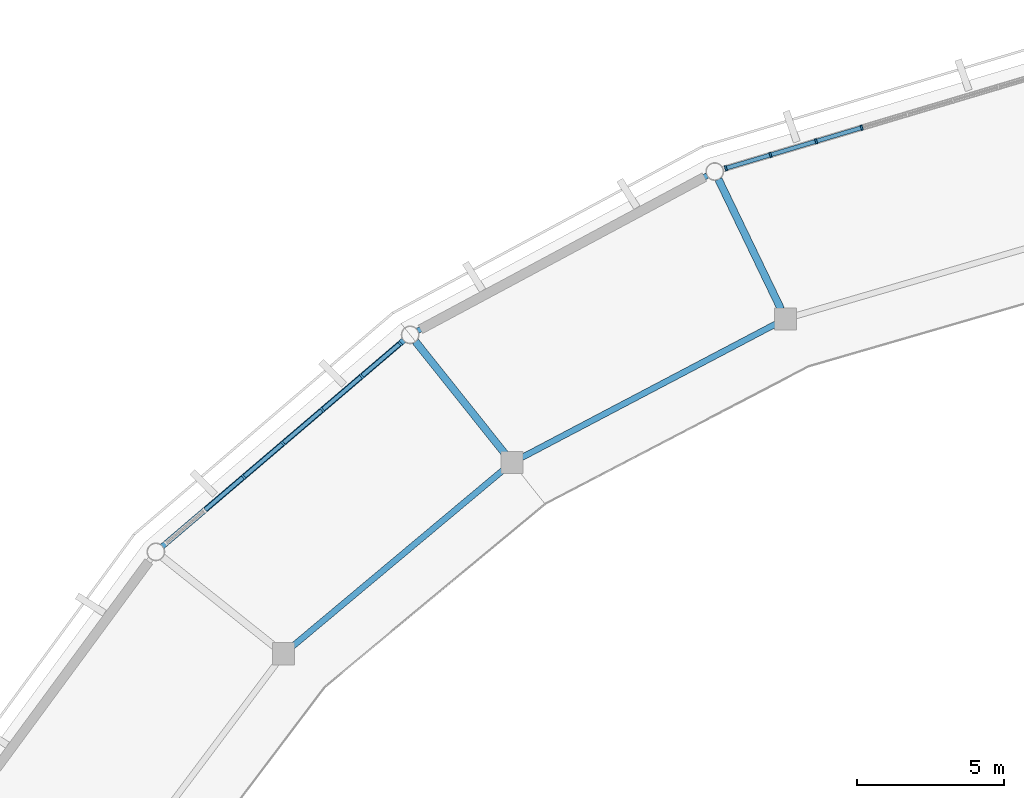
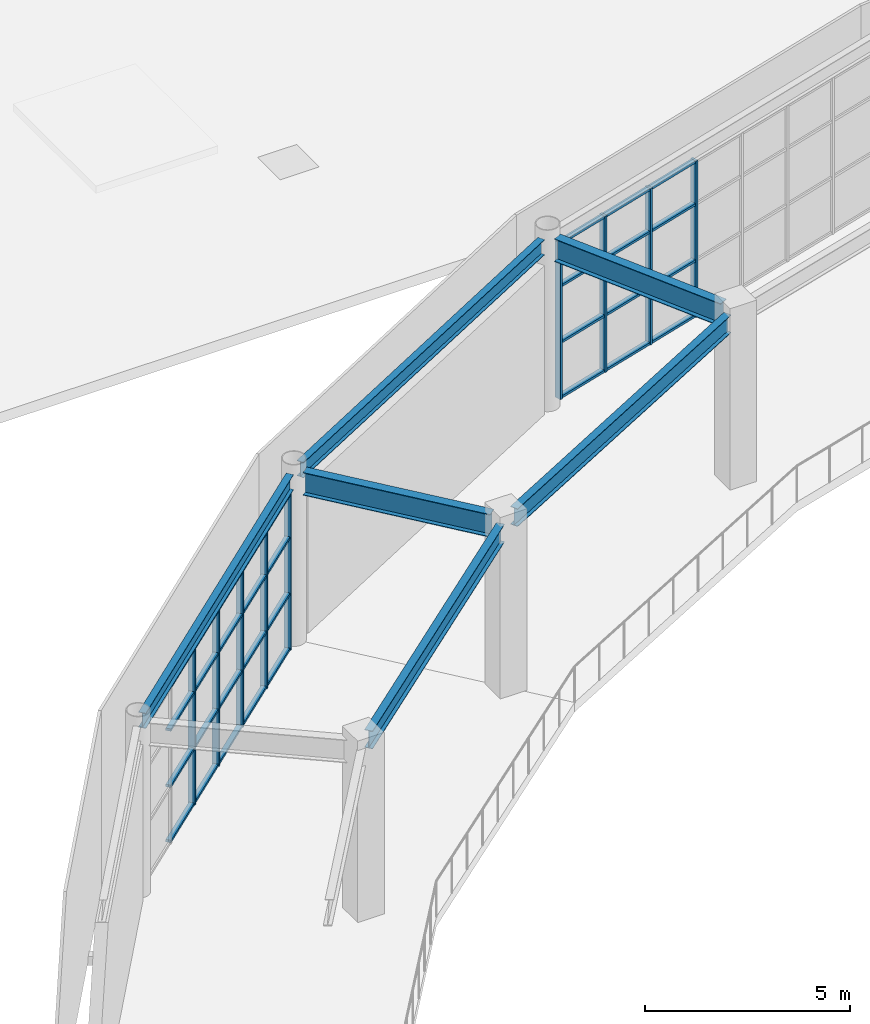
# One storey, part 28 of 70: 41 members, 6 beams, 2 elements without a shape of their own.
"""IFC4 building model written with IfcOpenShell, lengths in metres."""

import ifcopenshell
import ifcopenshell.guid

model = None  # the IFC model being written
_history = None  # IfcOwnerHistory: only IFC2X3 demands one
_inside = {}  # id of a spatial element -> (the spatial element, [elements in it])
_under = {}  # id of a project, library or spatial element -> (it, [spatial elements below it])
_declared = {}  # id of a project -> (the project, [libraries it declares])
_typed = {}  # id of a type object -> (the type object, [elements of that type])
_made_of = {}  # id of a material, layer set ... -> (it, [elements and type objects made of it])


def new_model(schema):
    """Start an empty IFC model of exactly this schema.

    Asked for "IFC4X3", IfcOpenShell would pick the latest addendum, in which some entities
    have other attributes; the version numbers below select the first issue.
    IFC2X3 requires an IfcOwnerHistory on every rooted entity: one is made here for all.
    """
    global model, _history
    if schema == "IFC4X3":
        model = ifcopenshell.file(schema_version=(4, 3, 0, 0))
    else:
        model = ifcopenshell.file(schema=schema)
    _inside.clear()
    _under.clear()
    _declared.clear()
    _typed.clear()
    _made_of.clear()
    _history = None
    if model.schema == "IFC2X3":
        org = make("IfcOrganization", Name="unknown")
        user = make(
            "IfcPersonAndOrganization",
            ThePerson=make("IfcPerson", FamilyName="unknown"),
            TheOrganization=org,
        )
        app = make(
            "IfcApplication",
            ApplicationDeveloper=org,
            Version="unknown",
            ApplicationFullName="unknown",
            ApplicationIdentifier="unknown",
        )
        _history = make(
            "IfcOwnerHistory",
            OwningUser=user,
            OwningApplication=app,
            ChangeAction="ADDED",
            CreationDate=0,
        )
    return model


def make(cls, **values):
    """One entity of the class cls with the attributes given. An attribute that is None is left unset."""
    return model.create_entity(
        cls, **{name: value for name, value in values.items() if value is not None}
    )


def rooted(cls, **values):
    """An entity with a GlobalId (a new one), such as an element, a storey or a relation."""
    return make(cls, GlobalId=ifcopenshell.guid.new(), OwnerHistory=_history, **values)


def si_unit(unit_type, name, prefix=None):
    """IfcSIUnit, for example si_unit("LENGTHUNIT", "METRE", prefix="MILLI")."""
    return make("IfcSIUnit", UnitType=unit_type, Prefix=prefix, Name=name)


def assignment(units):
    """IfcUnitAssignment: the units of a project."""
    return None if units is None else make("IfcUnitAssignment", Units=units)


def point(xyz):
    """IfcCartesianPoint."""
    return None if xyz is None else make("IfcCartesianPoint", Coordinates=xyz)


def direction(xyz):
    """IfcDirection."""
    return None if xyz is None else make("IfcDirection", DirectionRatios=xyz)


def frame(location, z_axis=None, x_axis=None):
    """IfcAxis2Placement3D, a coordinate frame: its origin and axes. An axis left out is left unset."""
    return make(
        "IfcAxis2Placement3D",
        Location=point(location),
        Axis=direction(z_axis),
        RefDirection=direction(x_axis),
    )


def frame_2d(location, x_axis=None):
    """IfcAxis2Placement2D, a coordinate frame in the plane: its origin and x axis."""
    return make(
        "IfcAxis2Placement2D", Location=point(location), RefDirection=direction(x_axis)
    )


def origin():
    """The frame at (0, 0, 0) with its axes left unset."""
    return frame((0.0, 0.0, 0.0))


def origin_2d():
    """The frame at (0, 0) in the plane with its x axis left unset."""
    return frame_2d((0.0, 0.0))


def place(relative_to, where):
    """IfcLocalPlacement: puts the frame where relative to a parent placement (None: the world)."""
    return make(
        "IfcLocalPlacement", PlacementRelTo=relative_to, RelativePlacement=where
    )


def context(
    kind, dimensions, precision=None, world=None, true_north=None, identifier=None
):
    """IfcGeometricRepresentationContext, for example the 3D "Model" context."""
    return make(
        "IfcGeometricRepresentationContext",
        ContextIdentifier=identifier,
        ContextType=kind,
        CoordinateSpaceDimension=dimensions,
        Precision=precision,
        WorldCoordinateSystem=world,
        TrueNorth=true_north,
    )


def subcontext(parent, identifier, kind, view, scale=None):
    """IfcGeometricRepresentationSubContext, for example "Body" below "Model"."""
    return make(
        "IfcGeometricRepresentationSubContext",
        ContextIdentifier=identifier,
        ContextType=kind,
        ParentContext=parent,
        TargetScale=scale,
        TargetView=view,
    )


def project(units=None, contexts=None):
    """IfcProject with its units and contexts."""
    return rooted(
        "IfcProject",
        Name="project",
        RepresentationContexts=contexts,
        UnitsInContext=assignment(units),
    )


def spatial(cls, under=None, at=None, **own):
    """A site, building, storey or space (cls), placed at a placement, below another one or the project."""
    s = rooted(cls, ObjectPlacement=at, **own)
    if under is not None:
        _under.setdefault(under.id(), (under, []))[1].append(s)
    return s


def profile(cls, at=None, kind="AREA", **sizes):
    """A parametric profile (cls). Its sizes go by their IFC names, for example OverallWidth=200.0."""
    return make(cls, ProfileType=kind, Position=at, **sizes)


def rectangle(**sizes):
    """IfcRectangleProfileDef."""
    return profile("IfcRectangleProfileDef", **sizes)


def i_section(**sizes):
    """IfcIShapeProfileDef."""
    return profile("IfcIShapeProfileDef", **sizes)


def extrude(swept, where, along, depth):
    """IfcExtrudedAreaSolid: the profile swept, set in the frame where, extruded along a direction by depth."""
    return make(
        "IfcExtrudedAreaSolid",
        SweptArea=swept,
        Position=where,
        ExtrudedDirection=direction(along),
        Depth=depth,
    )


def shape(context_of_items, identifier, shape_type, items):
    """IfcShapeRepresentation: the items that make up one representation, for example the "Body"."""
    return make(
        "IfcShapeRepresentation",
        ContextOfItems=context_of_items,
        RepresentationIdentifier=identifier,
        RepresentationType=shape_type,
        Items=items,
    )


def material(Name=None, Category=None):
    """IfcMaterial."""
    return make("IfcMaterial", Name=Name, Category=Category)


def material_profile(
    of_material, cross_section, Name=None, Category=None, Priority=None
):
    """IfcMaterialProfile: a cross section and its material."""
    return make(
        "IfcMaterialProfile",
        Name=Name,
        Material=of_material,
        Profile=cross_section,
        Priority=Priority,
        Category=Category,
    )


def profile_set(profiles, Name=None, composite=None):
    """IfcMaterialProfileSet."""
    return make(
        "IfcMaterialProfileSet",
        Name=Name,
        MaterialProfiles=profiles,
        CompositeProfile=composite,
    )


def made_of(thing, what):
    """Note that an element or type object is made of a material, layer set ...; save() writes the relation."""
    if what is not None:
        _made_of.setdefault(what.id(), (what, []))[1].append(thing)
    return thing


def type_object(cls, material=None, **own):
    """A type object (cls), such as IfcWallType, which elements share."""
    return made_of(rooted(cls, **own), material)


def element(
    cls,
    number,
    at=None,
    inside=None,
    cuts=None,
    type_object=None,
    material=None,
    context=None,
    identifier="Body",
    shape_type=None,
    held_by="IfcProductDefinitionShape",
    body=None,
    shapes=None,
    **own,
):
    """One element of the class cls, such as IfcWall. Its Tag is "e" and its number.

    at: its placement. inside: the storey or other place that contains it. cuts: it is an
    opening in that element (IfcRelVoidsElement). A single representation is given by context,
    identifier, shape_type and body (its items); several are given by shapes. held_by: the class
    of the entity that holds the representations. save() writes the other relations.
    """
    e = rooted(cls, Tag="e%d" % number, ObjectPlacement=at, **own)
    if body is not None:
        shapes = [shape(context, identifier, shape_type, body)]
    if shapes is not None:
        e.Representation = make(held_by, Representations=shapes)
    if inside is not None:
        _inside.setdefault(inside.id(), (inside, []))[1].append(e)
    if cuts is not None:
        rooted(
            "IfcRelVoidsElement", RelatingBuildingElement=cuts, RelatedOpeningElement=e
        )
    if type_object is not None:
        _typed.setdefault(type_object.id(), (type_object, []))[1].append(e)
    return made_of(e, material)


def aggregate(whole, parts):
    """IfcRelAggregates: a whole, such as a stair, and the parts it consists of."""
    return rooted("IfcRelAggregates", RelatingObject=whole, RelatedObjects=parts)


def save(model, path):
    """Write the relations noted so far, then the file.

    IfcRelAggregates (storeys below a building ...), IfcRelContainedInSpatialStructure (elements
    in a storey), IfcRelDefinesByType, IfcRelAssociatesMaterial and IfcRelDeclares: one each for
    every whole, place, type object, material and project.
    """
    for whole, parts in _under.values():
        aggregate(whole, parts)
    for where, things in _inside.values():
        rooted(
            "IfcRelContainedInSpatialStructure",
            RelatedElements=things,
            RelatingStructure=where,
        )
    for kind, things in _typed.values():
        rooted("IfcRelDefinesByType", RelatedObjects=things, RelatingType=kind)
    for what, things in _made_of.values():
        rooted("IfcRelAssociatesMaterial", RelatedObjects=things, RelatingMaterial=what)
    for by, libraries in _declared.values():
        rooted("IfcRelDeclares", RelatingContext=by, RelatedDefinitions=libraries)
    model.write(path)


model = new_model("IFC4")

# Units and contexts
model_context = context("Model", 3, precision=1e-05, world=origin(), true_north=direction((0.0, 1.0)))
body_context = subcontext(model_context, "Body", "Model", "MODEL_VIEW")
ifc_project = project(units=[si_unit("LENGTHUNIT", "METRE"), si_unit("AREAUNIT", "SQUARE_METRE"), si_unit("VOLUMEUNIT", "CUBIC_METRE"), si_unit("PLANEANGLEUNIT", "RADIAN"), si_unit("MASSUNIT", "GRAM", prefix="KILO")], contexts=[model_context])

# Site, building, storey
site_placement = place(None, origin())
site = spatial("IfcSite", under=ifc_project, at=site_placement, CompositionType="ELEMENT")
building_placement = place(site_placement, origin())
building = spatial("IfcBuilding", under=site, at=building_placement, Name="Cuetzalor Civic Arena", CompositionType="ELEMENT")
storey_placement = place(building_placement, frame((0.0, 0.0, 21.0)))
storey = spatial("IfcBuildingStorey", under=building, at=storey_placement, Name="L04", CompositionType="ELEMENT", Elevation=21.0)

# Curtain wall, members
ifc_material_1 = material(Name="Anodised dark bronze aluminium and low-E solar glass", Category="aluminium")
curtain_wall_type_1 = type_object("IfcCurtainWallType", Name="UnitisedCW_11300x4650", PredefinedType="USERDEFINED", material=ifc_material_1)
curtain_wall_1_placement = place(storey_placement, origin())
curtain_wall_1 = element("IfcCurtainWall", 1, at=curtain_wall_1_placement, inside=storey, type_object=curtain_wall_type_1, Name="Drum Triangle Foyer Curtain Wall L04-060", ObjectType="UNITISED CURTAIN WALL", PredefinedType="USERDEFINED")
ifc_material_2 = material(Name="Anodised dark bronze aluminium", Category="aluminium")
ifc_material_profile_1 = material_profile(ifc_material_2, rectangle(XDim=0.070068359375, YDim=0.179931640625, at=origin_2d()), Name="ALU MULLION 70x180")
ifc_profile_set_1 = profile_set([ifc_material_profile_1], Name="Anodised dark bronze aluminium")
member_type_1 = type_object("IfcMemberType", Name="CurtainWallMullion_65x180", PredefinedType="MULLION", material=ifc_profile_set_1)
member_1_placement = place(storey_placement, frame((-23.28857421875, 42.053466796875, 0.0), z_axis=(0.0, 0.0, 1.0), x_axis=(0.958193690548, 0.286120344251, 0.0)))
member_1 = element("IfcMember", 2, at=member_1_placement, type_object=member_type_1, Name="CW-09 mullion 1", PredefinedType="MULLION", context=body_context, shape_type="SweptSolid", body=[
    extrude(rectangle(XDim=0.070068359375, YDim=0.179931640625, at=origin_2d()), origin(), (0.0, 0.0, 1.0), 4.653076171875),
])
member_2_placement = place(storey_placement, frame((-21.77392578125, 42.505859375, 0.0), z_axis=(0.0, 0.0, 1.0), x_axis=(0.958193690548, 0.286120344251, 0.0)))
member_2 = element("IfcMember", 3, at=member_2_placement, type_object=member_type_1, Name="CW-09 mullion 2", PredefinedType="MULLION", context=body_context, shape_type="SweptSolid", body=[
    extrude(rectangle(XDim=0.070068359375, YDim=0.179931640625, at=origin_2d()), origin(), (0.0, 0.0, 1.0), 4.653076171875),
])
member_3_placement = place(storey_placement, frame((-20.2255859375, 42.968017578125, 0.0), z_axis=(0.0, 0.0, 1.0), x_axis=(0.958193690548, 0.286120344251, 0.0)))
member_3 = element("IfcMember", 4, at=member_3_placement, type_object=member_type_1, Name="CW-09 mullion 3", PredefinedType="MULLION", context=body_context, shape_type="SweptSolid", body=[
    extrude(rectangle(XDim=0.070068359375, YDim=0.179931640625, at=origin_2d()), origin(), (0.0, 0.0, 1.0), 4.653076171875),
])
member_4_placement = place(storey_placement, frame((-18.677490234375, 43.430419921875, 0.0), z_axis=(0.0, 0.0, 1.0), x_axis=(0.958193690548, 0.286120344251, 0.0)))
member_4 = element("IfcMember", 5, at=member_4_placement, type_object=member_type_1, Name="CW-09 mullion 4", PredefinedType="MULLION", context=body_context, shape_type="SweptSolid", body=[
    extrude(rectangle(XDim=0.070068359375, YDim=0.179931640625, at=origin_2d()), origin(), (0.0, 0.0, 1.0), 4.653076171875),
])

ifc_material_3 = material(Name="Anodised dark bronze aluminium and low-E solar glass", Category="aluminium")
curtain_wall_type_2 = type_object("IfcCurtainWallType", Name="UnitisedCW_10550x4650", PredefinedType="USERDEFINED", material=ifc_material_3)
curtain_wall_2_placement = place(storey_placement, origin())
curtain_wall_2 = element("IfcCurtainWall", 6, at=curtain_wall_2_placement, inside=storey, type_object=curtain_wall_type_2, Name="Drum Triangle Foyer Curtain Wall L04-061", ObjectType="UNITISED CURTAIN WALL", PredefinedType="USERDEFINED")
member_5_placement = place(storey_placement, frame((-39.665283203125, 31.569580078125, 0.0), z_axis=(0.0, 0.0, 1.0), x_axis=(0.760677142663, 0.64913040649, 0.0)))
member_5 = element("IfcMember", 7, at=member_5_placement, type_object=member_type_1, Name="CW-10 mullion 3", PredefinedType="MULLION", context=body_context, shape_type="SweptSolid", body=[
    extrude(rectangle(XDim=0.070068359375, YDim=0.179931640625, at=origin_2d()), origin(), (0.0, 0.0, 1.0), 4.653076171875),
])
member_6_placement = place(storey_placement, frame((-38.330078125, 32.708984375, 0.0), z_axis=(0.0, 0.0, 1.0), x_axis=(0.760677142663, 0.64913040649, 0.0)))
member_6 = element("IfcMember", 8, at=member_6_placement, type_object=member_type_1, Name="CW-10 mullion 4", PredefinedType="MULLION", context=body_context, shape_type="SweptSolid", body=[
    extrude(rectangle(XDim=0.070068359375, YDim=0.179931640625, at=origin_2d()), origin(), (0.0, 0.0, 1.0), 4.653076171875),
])
member_7_placement = place(storey_placement, frame((-36.9951171875, 33.84814453125, 0.0), z_axis=(0.0, 0.0, 1.0), x_axis=(0.760677142663, 0.64913040649, 0.0)))
member_7 = element("IfcMember", 9, at=member_7_placement, type_object=member_type_1, Name="CW-10 mullion 5", PredefinedType="MULLION", context=body_context, shape_type="SweptSolid", body=[
    extrude(rectangle(XDim=0.070068359375, YDim=0.179931640625, at=origin_2d()), origin(), (0.0, 0.0, 1.0), 4.653076171875),
])
member_8_placement = place(storey_placement, frame((-35.659912109375, 34.987548828125, 0.0), z_axis=(0.0, 0.0, 1.0), x_axis=(0.760677142663, 0.64913040649, 0.0)))
member_8 = element("IfcMember", 10, at=member_8_placement, type_object=member_type_1, Name="CW-10 mullion 6", PredefinedType="MULLION", context=body_context, shape_type="SweptSolid", body=[
    extrude(rectangle(XDim=0.070068359375, YDim=0.179931640625, at=origin_2d()), origin(), (0.0, 0.0, 1.0), 4.653076171875),
])
member_9_placement = place(storey_placement, frame((-34.351318359375, 36.104248046875, 0.0), z_axis=(0.0, 0.0, 1.0), x_axis=(0.760677142663, 0.64913040649, 0.0)))
member_9 = element("IfcMember", 11, at=member_9_placement, type_object=member_type_1, Name="CW-10 mullion 7", PredefinedType="MULLION", context=body_context, shape_type="SweptSolid", body=[
    extrude(rectangle(XDim=0.070068359375, YDim=0.179931640625, at=origin_2d()), origin(), (0.0, 0.0, 1.0), 4.653076171875),
])

# Member
ifc_material_4 = material(Name="Anodised dark bronze aluminium", Category="aluminium")
ifc_material_profile_2 = material_profile(ifc_material_4, rectangle(XDim=0.139892578125, YDim=0.070068359375, at=origin_2d()), Name="ALU TRANSOM 70x140")
ifc_profile_set_2 = profile_set([ifc_material_profile_2], Name="Anodised dark bronze aluminium")
member_type_2 = type_object("IfcMemberType", Name="CurtainWallTransom_65x140", PredefinedType="USERDEFINED", material=ifc_profile_set_2)
member_10_placement = place(storey_placement, frame((-23.2548828125, 42.0634765625, 0.034912109375), z_axis=(0.958168093169, 0.286206053804, 0.0), x_axis=(-0.286206053804, 0.958168093169, 0.0)))
member_10 = element("IfcMember", 12, at=member_10_placement, type_object=member_type_2, Name="CW-09 transom 1.1", ObjectType="TRANSOM", PredefinedType="USERDEFINED", context=body_context, shape_type="SweptSolid", body=[
    extrude(rectangle(XDim=0.139892578125, YDim=0.070068359375, at=origin_2d()), origin(), (0.0, 0.0, 1.0), 1.5107421875),
])

member_11_placement = place(storey_placement, frame((-23.2548828125, 42.0634765625, 1.675048828125), z_axis=(0.958168093169, 0.286206053804, 0.0), x_axis=(-0.286206053804, 0.958168093169, 0.0)))
member_11 = element("IfcMember", 13, at=member_11_placement, type_object=member_type_2, Name="CW-09 transom 1.2", ObjectType="TRANSOM", PredefinedType="USERDEFINED", context=body_context, shape_type="SweptSolid", body=[
    extrude(rectangle(XDim=0.139892578125, YDim=0.070068359375, at=origin_2d()), origin(), (0.0, 0.0, 1.0), 1.5107421875),
])

member_12_placement = place(storey_placement, frame((-23.2548828125, 42.0634765625, 3.35009765625), z_axis=(0.958168093169, 0.286206053804, 0.0), x_axis=(-0.286206053804, 0.958168093169, 0.0)))
member_12 = element("IfcMember", 14, at=member_12_placement, type_object=member_type_2, Name="CW-09 transom 1.3", ObjectType="TRANSOM", PredefinedType="USERDEFINED", context=body_context, shape_type="SweptSolid", body=[
    extrude(rectangle(XDim=0.139892578125, YDim=0.070068359375, at=origin_2d()), origin(), (0.0, 0.0, 1.0), 1.5107421875),
])

member_13_placement = place(storey_placement, frame((-23.2548828125, 42.0634765625, 4.617919921875), z_axis=(0.958168093169, 0.286206053804, 0.0), x_axis=(-0.286206053804, 0.958168093169, 0.0)))
member_13 = element("IfcMember", 15, at=member_13_placement, type_object=member_type_2, Name="CW-09 transom 1.4", ObjectType="TRANSOM", PredefinedType="USERDEFINED", context=body_context, shape_type="SweptSolid", body=[
    extrude(rectangle(XDim=0.139892578125, YDim=0.070068359375, at=origin_2d()), origin(), (0.0, 0.0, 1.0), 1.5107421875),
])

member_14_placement = place(storey_placement, frame((-21.740234375, 42.515869140625, 0.034912109375), z_axis=(0.958208027284, 0.286072327302, 0.0), x_axis=(-0.286072327302, 0.958208027284, 0.0)))
member_14 = element("IfcMember", 16, at=member_14_placement, type_object=member_type_2, Name="CW-09 transom 2.1", ObjectType="TRANSOM", PredefinedType="USERDEFINED", context=body_context, shape_type="SweptSolid", body=[
    extrude(rectangle(XDim=0.139892578125, YDim=0.070068359375, at=origin_2d()), origin(), (0.0, 0.0, 1.0), 1.545654296875),
])

member_15_placement = place(storey_placement, frame((-21.740234375, 42.515869140625, 1.675048828125), z_axis=(0.958208027284, 0.286072327302, 0.0), x_axis=(-0.286072327302, 0.958208027284, 0.0)))
member_15 = element("IfcMember", 17, at=member_15_placement, type_object=member_type_2, Name="CW-09 transom 2.2", ObjectType="TRANSOM", PredefinedType="USERDEFINED", context=body_context, shape_type="SweptSolid", body=[
    extrude(rectangle(XDim=0.139892578125, YDim=0.070068359375, at=origin_2d()), origin(), (0.0, 0.0, 1.0), 1.545654296875),
])

member_16_placement = place(storey_placement, frame((-21.740234375, 42.515869140625, 3.35009765625), z_axis=(0.958208027284, 0.286072327302, 0.0), x_axis=(-0.286072327302, 0.958208027284, 0.0)))
member_16 = element("IfcMember", 18, at=member_16_placement, type_object=member_type_2, Name="CW-09 transom 2.3", ObjectType="TRANSOM", PredefinedType="USERDEFINED", context=body_context, shape_type="SweptSolid", body=[
    extrude(rectangle(XDim=0.139892578125, YDim=0.070068359375, at=origin_2d()), origin(), (0.0, 0.0, 1.0), 1.545654296875),
])

member_17_placement = place(storey_placement, frame((-21.740234375, 42.515869140625, 4.617919921875), z_axis=(0.958208027284, 0.286072327302, 0.0), x_axis=(-0.286072327302, 0.958208027284, 0.0)))
member_17 = element("IfcMember", 19, at=member_17_placement, type_object=member_type_2, Name="CW-09 transom 2.4", ObjectType="TRANSOM", PredefinedType="USERDEFINED", context=body_context, shape_type="SweptSolid", body=[
    extrude(rectangle(XDim=0.139892578125, YDim=0.070068359375, at=origin_2d()), origin(), (0.0, 0.0, 1.0), 1.545654296875),
])

member_18_placement = place(storey_placement, frame((-20.192138671875, 42.97802734375, 0.034912109375), z_axis=(0.958164717752, 0.286217353869, 0.0), x_axis=(-0.286217353869, 0.958164717752, 0.0)))
member_18 = element("IfcMember", 20, at=member_18_placement, type_object=member_type_2, Name="CW-09 transom 3.1", ObjectType="TRANSOM", PredefinedType="USERDEFINED", context=body_context, shape_type="SweptSolid", body=[
    extrude(rectangle(XDim=0.139892578125, YDim=0.070068359375, at=origin_2d()), origin(), (0.0, 0.0, 1.0), 1.545654296875),
])

member_19_placement = place(storey_placement, frame((-20.192138671875, 42.97802734375, 1.675048828125), z_axis=(0.958164717752, 0.286217353869, 0.0), x_axis=(-0.286217353869, 0.958164717752, 0.0)))
member_19 = element("IfcMember", 21, at=member_19_placement, type_object=member_type_2, Name="CW-09 transom 3.2", ObjectType="TRANSOM", PredefinedType="USERDEFINED", context=body_context, shape_type="SweptSolid", body=[
    extrude(rectangle(XDim=0.139892578125, YDim=0.070068359375, at=origin_2d()), origin(), (0.0, 0.0, 1.0), 1.545654296875),
])

member_20_placement = place(storey_placement, frame((-20.192138671875, 42.97802734375, 3.35009765625), z_axis=(0.958164717752, 0.286217353869, 0.0), x_axis=(-0.286217353869, 0.958164717752, 0.0)))
member_20 = element("IfcMember", 22, at=member_20_placement, type_object=member_type_2, Name="CW-09 transom 3.3", ObjectType="TRANSOM", PredefinedType="USERDEFINED", context=body_context, shape_type="SweptSolid", body=[
    extrude(rectangle(XDim=0.139892578125, YDim=0.070068359375, at=origin_2d()), origin(), (0.0, 0.0, 1.0), 1.545654296875),
])

member_21_placement = place(storey_placement, frame((-20.192138671875, 42.97802734375, 4.617919921875), z_axis=(0.958164717752, 0.286217353869, 0.0), x_axis=(-0.286217353869, 0.958164717752, 0.0)))
member_21 = element("IfcMember", 23, at=member_21_placement, type_object=member_type_2, Name="CW-09 transom 3.4", ObjectType="TRANSOM", PredefinedType="USERDEFINED", context=body_context, shape_type="SweptSolid", body=[
    extrude(rectangle(XDim=0.139892578125, YDim=0.070068359375, at=origin_2d()), origin(), (0.0, 0.0, 1.0), 1.545654296875),
])

aggregate(curtain_wall_1, [member_1, member_2, member_3, member_4, member_10, member_11, member_12, member_13, member_14, member_15, member_16, member_17, member_18, member_19, member_20, member_21])

member_22_placement = place(storey_placement, frame((-40.973876953125, 30.452880859375, 0.034912109375), z_axis=(0.760676154185, 0.649131564826, 0.0), x_axis=(-0.649131564826, 0.760676154185, 0.0)))
member_22 = element("IfcMember", 24, at=member_22_placement, type_object=member_type_2, Name="CW-10 transom 2.1", ObjectType="TRANSOM", PredefinedType="USERDEFINED", context=body_context, shape_type="SweptSolid", body=[
    extrude(rectangle(XDim=0.139892578125, YDim=0.070068359375, at=origin_2d()), origin(), (0.0, 0.0, 1.0), 1.685302734375),
])

member_23_placement = place(storey_placement, frame((-40.973876953125, 30.452880859375, 1.675048828125), z_axis=(0.760676154185, 0.649131564826, 0.0), x_axis=(-0.649131564826, 0.760676154185, 0.0)))
member_23 = element("IfcMember", 25, at=member_23_placement, type_object=member_type_2, Name="CW-10 transom 2.2", ObjectType="TRANSOM", PredefinedType="USERDEFINED", context=body_context, shape_type="SweptSolid", body=[
    extrude(rectangle(XDim=0.139892578125, YDim=0.070068359375, at=origin_2d()), origin(), (0.0, 0.0, 1.0), 1.685302734375),
])

member_24_placement = place(storey_placement, frame((-40.973876953125, 30.452880859375, 3.35009765625), z_axis=(0.760676154185, 0.649131564826, 0.0), x_axis=(-0.649131564826, 0.760676154185, 0.0)))
member_24 = element("IfcMember", 26, at=member_24_placement, type_object=member_type_2, Name="CW-10 transom 2.3", ObjectType="TRANSOM", PredefinedType="USERDEFINED", context=body_context, shape_type="SweptSolid", body=[
    extrude(rectangle(XDim=0.139892578125, YDim=0.070068359375, at=origin_2d()), origin(), (0.0, 0.0, 1.0), 1.685302734375),
])

member_25_placement = place(storey_placement, frame((-40.973876953125, 30.452880859375, 4.617919921875), z_axis=(0.760676154185, 0.649131564826, 0.0), x_axis=(-0.649131564826, 0.760676154185, 0.0)))
member_25 = element("IfcMember", 27, at=member_25_placement, type_object=member_type_2, Name="CW-10 transom 2.4", ObjectType="TRANSOM", PredefinedType="USERDEFINED", context=body_context, shape_type="SweptSolid", body=[
    extrude(rectangle(XDim=0.139892578125, YDim=0.070068359375, at=origin_2d()), origin(), (0.0, 0.0, 1.0), 1.685302734375),
])

member_26_placement = place(storey_placement, frame((-39.638671875, 31.59228515625, 0.034912109375), z_axis=(0.760676154185, 0.649131564826, 0.0), x_axis=(-0.649131564826, 0.760676154185, 0.0)))
member_26 = element("IfcMember", 28, at=member_26_placement, type_object=member_type_2, Name="CW-10 transom 3.1", ObjectType="TRANSOM", PredefinedType="USERDEFINED", context=body_context, shape_type="SweptSolid", body=[
    extrude(rectangle(XDim=0.139892578125, YDim=0.070068359375, at=origin_2d()), origin(), (0.0, 0.0, 1.0), 1.685302734375),
])

member_27_placement = place(storey_placement, frame((-39.638671875, 31.59228515625, 1.675048828125), z_axis=(0.760676154185, 0.649131564826, 0.0), x_axis=(-0.649131564826, 0.760676154185, 0.0)))
member_27 = element("IfcMember", 29, at=member_27_placement, type_object=member_type_2, Name="CW-10 transom 3.2", ObjectType="TRANSOM", PredefinedType="USERDEFINED", context=body_context, shape_type="SweptSolid", body=[
    extrude(rectangle(XDim=0.139892578125, YDim=0.070068359375, at=origin_2d()), origin(), (0.0, 0.0, 1.0), 1.685302734375),
])

member_28_placement = place(storey_placement, frame((-39.638671875, 31.59228515625, 3.35009765625), z_axis=(0.760676154185, 0.649131564826, 0.0), x_axis=(-0.649131564826, 0.760676154185, 0.0)))
member_28 = element("IfcMember", 30, at=member_28_placement, type_object=member_type_2, Name="CW-10 transom 3.3", ObjectType="TRANSOM", PredefinedType="USERDEFINED", context=body_context, shape_type="SweptSolid", body=[
    extrude(rectangle(XDim=0.139892578125, YDim=0.070068359375, at=origin_2d()), origin(), (0.0, 0.0, 1.0), 1.685302734375),
])

member_29_placement = place(storey_placement, frame((-39.638671875, 31.59228515625, 4.617919921875), z_axis=(0.760676154185, 0.649131564826, 0.0), x_axis=(-0.649131564826, 0.760676154185, 0.0)))
member_29 = element("IfcMember", 31, at=member_29_placement, type_object=member_type_2, Name="CW-10 transom 3.4", ObjectType="TRANSOM", PredefinedType="USERDEFINED", context=body_context, shape_type="SweptSolid", body=[
    extrude(rectangle(XDim=0.139892578125, YDim=0.070068359375, at=origin_2d()), origin(), (0.0, 0.0, 1.0), 1.685302734375),
])

member_30_placement = place(storey_placement, frame((-38.303466796875, 32.731689453125, 0.034912109375), z_axis=(0.760686645348, 0.649119270697, 0.0), x_axis=(-0.649119270697, 0.760686645348, 0.0)))
member_30 = element("IfcMember", 32, at=member_30_placement, type_object=member_type_2, Name="CW-10 transom 4.1", ObjectType="TRANSOM", PredefinedType="USERDEFINED", context=body_context, shape_type="SweptSolid", body=[
    extrude(rectangle(XDim=0.139892578125, YDim=0.070068359375, at=origin_2d()), origin(), (0.0, 0.0, 1.0), 1.68505859375),
])

member_31_placement = place(storey_placement, frame((-38.303466796875, 32.731689453125, 1.675048828125), z_axis=(0.760686645348, 0.649119270697, 0.0), x_axis=(-0.649119270697, 0.760686645348, 0.0)))
member_31 = element("IfcMember", 33, at=member_31_placement, type_object=member_type_2, Name="CW-10 transom 4.2", ObjectType="TRANSOM", PredefinedType="USERDEFINED", context=body_context, shape_type="SweptSolid", body=[
    extrude(rectangle(XDim=0.139892578125, YDim=0.070068359375, at=origin_2d()), origin(), (0.0, 0.0, 1.0), 1.68505859375),
])

member_32_placement = place(storey_placement, frame((-38.303466796875, 32.731689453125, 3.35009765625), z_axis=(0.760686645348, 0.649119270697, 0.0), x_axis=(-0.649119270697, 0.760686645348, 0.0)))
member_32 = element("IfcMember", 34, at=member_32_placement, type_object=member_type_2, Name="CW-10 transom 4.3", ObjectType="TRANSOM", PredefinedType="USERDEFINED", context=body_context, shape_type="SweptSolid", body=[
    extrude(rectangle(XDim=0.139892578125, YDim=0.070068359375, at=origin_2d()), origin(), (0.0, 0.0, 1.0), 1.68505859375),
])

member_33_placement = place(storey_placement, frame((-38.303466796875, 32.731689453125, 4.617919921875), z_axis=(0.760686645348, 0.649119270697, 0.0), x_axis=(-0.649119270697, 0.760686645348, 0.0)))
member_33 = element("IfcMember", 35, at=member_33_placement, type_object=member_type_2, Name="CW-10 transom 4.4", ObjectType="TRANSOM", PredefinedType="USERDEFINED", context=body_context, shape_type="SweptSolid", body=[
    extrude(rectangle(XDim=0.139892578125, YDim=0.070068359375, at=origin_2d()), origin(), (0.0, 0.0, 1.0), 1.68505859375),
])

member_34_placement = place(storey_placement, frame((-36.968505859375, 33.870849609375, 0.034912109375), z_axis=(0.760676154185, 0.649131564826, 0.0), x_axis=(-0.649131564826, 0.760676154185, 0.0)))
member_34 = element("IfcMember", 36, at=member_34_placement, type_object=member_type_2, Name="CW-10 transom 5.1", ObjectType="TRANSOM", PredefinedType="USERDEFINED", context=body_context, shape_type="SweptSolid", body=[
    extrude(rectangle(XDim=0.139892578125, YDim=0.070068359375, at=origin_2d()), origin(), (0.0, 0.0, 1.0), 1.685302734375),
])

member_35_placement = place(storey_placement, frame((-36.968505859375, 33.870849609375, 1.675048828125), z_axis=(0.760676154185, 0.649131564826, 0.0), x_axis=(-0.649131564826, 0.760676154185, 0.0)))
member_35 = element("IfcMember", 37, at=member_35_placement, type_object=member_type_2, Name="CW-10 transom 5.2", ObjectType="TRANSOM", PredefinedType="USERDEFINED", context=body_context, shape_type="SweptSolid", body=[
    extrude(rectangle(XDim=0.139892578125, YDim=0.070068359375, at=origin_2d()), origin(), (0.0, 0.0, 1.0), 1.685302734375),
])

member_36_placement = place(storey_placement, frame((-36.968505859375, 33.870849609375, 3.35009765625), z_axis=(0.760676154185, 0.649131564826, 0.0), x_axis=(-0.649131564826, 0.760676154185, 0.0)))
member_36 = element("IfcMember", 38, at=member_36_placement, type_object=member_type_2, Name="CW-10 transom 5.3", ObjectType="TRANSOM", PredefinedType="USERDEFINED", context=body_context, shape_type="SweptSolid", body=[
    extrude(rectangle(XDim=0.139892578125, YDim=0.070068359375, at=origin_2d()), origin(), (0.0, 0.0, 1.0), 1.685302734375),
])

member_37_placement = place(storey_placement, frame((-36.968505859375, 33.870849609375, 4.617919921875), z_axis=(0.760676154185, 0.649131564826, 0.0), x_axis=(-0.649131564826, 0.760676154185, 0.0)))
member_37 = element("IfcMember", 39, at=member_37_placement, type_object=member_type_2, Name="CW-10 transom 5.4", ObjectType="TRANSOM", PredefinedType="USERDEFINED", context=body_context, shape_type="SweptSolid", body=[
    extrude(rectangle(XDim=0.139892578125, YDim=0.070068359375, at=origin_2d()), origin(), (0.0, 0.0, 1.0), 1.685302734375),
])

member_38_placement = place(storey_placement, frame((-35.63330078125, 35.01025390625, 0.034912109375), z_axis=(0.76067495784, 0.649132966745, 0.0), x_axis=(-0.649132966745, 0.76067495784, 0.0)))
member_38 = element("IfcMember", 40, at=member_38_placement, type_object=member_type_2, Name="CW-10 transom 6.1", ObjectType="TRANSOM", PredefinedType="USERDEFINED", context=body_context, shape_type="SweptSolid", body=[
    extrude(rectangle(XDim=0.139892578125, YDim=0.070068359375, at=origin_2d()), origin(), (0.0, 0.0, 1.0), 1.650390625),
])

member_39_placement = place(storey_placement, frame((-35.63330078125, 35.01025390625, 1.675048828125), z_axis=(0.76067495784, 0.649132966745, 0.0), x_axis=(-0.649132966745, 0.76067495784, 0.0)))
member_39 = element("IfcMember", 41, at=member_39_placement, type_object=member_type_2, Name="CW-10 transom 6.2", ObjectType="TRANSOM", PredefinedType="USERDEFINED", context=body_context, shape_type="SweptSolid", body=[
    extrude(rectangle(XDim=0.139892578125, YDim=0.070068359375, at=origin_2d()), origin(), (0.0, 0.0, 1.0), 1.650390625),
])

member_40_placement = place(storey_placement, frame((-35.63330078125, 35.01025390625, 3.35009765625), z_axis=(0.76067495784, 0.649132966745, 0.0), x_axis=(-0.649132966745, 0.76067495784, 0.0)))
member_40 = element("IfcMember", 42, at=member_40_placement, type_object=member_type_2, Name="CW-10 transom 6.3", ObjectType="TRANSOM", PredefinedType="USERDEFINED", context=body_context, shape_type="SweptSolid", body=[
    extrude(rectangle(XDim=0.139892578125, YDim=0.070068359375, at=origin_2d()), origin(), (0.0, 0.0, 1.0), 1.650390625),
])

member_41_placement = place(storey_placement, frame((-35.63330078125, 35.01025390625, 4.617919921875), z_axis=(0.76067495784, 0.649132966745, 0.0), x_axis=(-0.649132966745, 0.76067495784, 0.0)))
member_41 = element("IfcMember", 43, at=member_41_placement, type_object=member_type_2, Name="CW-10 transom 6.4", ObjectType="TRANSOM", PredefinedType="USERDEFINED", context=body_context, shape_type="SweptSolid", body=[
    extrude(rectangle(XDim=0.139892578125, YDim=0.070068359375, at=origin_2d()), origin(), (0.0, 0.0, 1.0), 1.650390625),
])

aggregate(curtain_wall_2, [member_5, member_6, member_7, member_8, member_9, member_22, member_23, member_24, member_25, member_26, member_27, member_28, member_29, member_30, member_31, member_32, member_33, member_34, member_35, member_36, member_37, member_38, member_39, member_40, member_41])

# Beams
ifc_material_5 = material(Name="Steel S355", Category="steel")
ifc_material_profile_3 = material_profile(ifc_material_5, i_section(OverallWidth=0.18994140625, OverallDepth=0.45703125, WebThickness=0.009033203125, FlangeThickness=0.014404296875, at=origin_2d()), Name="W460x74")
ifc_profile_set_3 = profile_set([ifc_material_profile_3], Name="Steel S355")
beam_type_1 = type_object("IfcBeamType", Name="FacadeSpandrelBeam_W460", PredefinedType="SPANDREL", material=ifc_profile_set_3)
beam_1_placement = place(storey_placement, frame((-23.924072265625, 41.802978515625, 4.8916015625), z_axis=(-0.881304552514, -0.472548712534, 0.0), x_axis=(0.472548712534, -0.881304552514, 0.0)))
element("IfcBeam", 44, at=beam_1_placement, inside=storey, type_object=beam_type_1, Name="Drum Perimeter Spandrel L04-S10", PredefinedType="SPANDREL", context=body_context, shape_type="SweptSolid", body=[
    extrude(i_section(OverallWidth=0.18994140625, OverallDepth=0.45703125, WebThickness=0.009033203125, FlangeThickness=0.014404296875, at=origin_2d()), origin(), (0.0, 0.0, 1.0), 11.156005859375),
])
beam_2_placement = place(storey_placement, frame((-34.23193359375, 36.2060546875, 4.8916015625), z_axis=(-0.760676650628, -0.649130983076, 0.0), x_axis=(0.649130983076, -0.760676650628, 0.0)))
element("IfcBeam", 45, at=beam_2_placement, inside=storey, type_object=beam_type_1, Name="Drum Perimeter Spandrel L04-S11", PredefinedType="SPANDREL", context=body_context, shape_type="SweptSolid", body=[
    extrude(i_section(OverallWidth=0.18994140625, OverallDepth=0.45703125, WebThickness=0.009033203125, FlangeThickness=0.014404296875, at=origin_2d()), origin(), (0.0, 0.0, 1.0), 10.77490234375),
])
ifc_material_6 = material(Name="Steel S355", Category="steel")
ifc_material_profile_4 = material_profile(ifc_material_6, i_section(OverallWidth=0.208984375, OverallDepth=0.532958984375, WebThickness=0.01025390625, FlangeThickness=0.015625, at=origin_2d()), Name="W530x92")
ifc_profile_set_4 = profile_set([ifc_material_profile_4], Name="Steel S355")
beam_type_2 = type_object("IfcBeamType", Name="SteelCollarGirder_W530", PredefinedType="BEAM", material=ifc_profile_set_4)
beam_3_placement = place(storey_placement, frame((-21.587890625, 36.767578125, 4.853515625), z_axis=(-0.885117354883, -0.465367884673, 0.0), x_axis=(0.465367884673, -0.885117354883, 0.0)))
element("IfcBeam", 46, at=beam_3_placement, inside=storey, type_object=beam_type_2, Name="Drum Concourse Ring Girder L04-S10", PredefinedType="BEAM", context=body_context, shape_type="SweptSolid", body=[
    extrude(i_section(OverallWidth=0.208984375, OverallDepth=0.532958984375, WebThickness=0.01025390625, FlangeThickness=0.015625, at=origin_2d()), origin(), (0.0, 0.0, 1.0), 9.75634765625),
])
beam_4_placement = place(storey_placement, frame((-30.834716796875, 31.817626953125, 4.853515625), z_axis=(-0.766937066427, -0.641722320121, 0.0), x_axis=(0.641722320121, -0.766937066427, 0.0)))
element("IfcBeam", 47, at=beam_4_placement, inside=storey, type_object=beam_type_2, Name="Drum Concourse Ring Girder L04-S11", PredefinedType="BEAM", context=body_context, shape_type="SweptSolid", body=[
    extrude(i_section(OverallWidth=0.208984375, OverallDepth=0.532958984375, WebThickness=0.01025390625, FlangeThickness=0.015625, at=origin_2d()), origin(), (0.0, 0.0, 1.0), 9.37646484375),
])
ifc_material_7 = material(Name="Steel S355", Category="steel")
ifc_material_profile_5 = material_profile(ifc_material_7, i_section(OverallWidth=0.2529296875, OverallDepth=0.677978515625, WebThickness=0.01171875, FlangeThickness=0.016357421875, at=origin_2d()), Name="W690x125")
ifc_profile_set_5 = profile_set([ifc_material_profile_5], Name="Steel S355")
beam_type_3 = type_object("IfcBeamType", Name="SteelPrimaryGirder_W690", PredefinedType="BEAM", material=ifc_profile_set_5)
for number, where, z_axis, x_axis, name in (
    (48, (-21.41650390625, 37.263916015625, 4.781005859375), (-0.433871046232, 0.900974980364, 0.0), (-0.900974980364, -0.433871046232, 0.0), "Drum Radial Girder L04-R10"),
    (49, (-30.775390625, 32.336669921875, 4.781005859375), (-0.623515538789, 0.781810957258, 0.0), (-0.781810957258, -0.623515538789, 0.0), "Drum Radial Girder L04-R11"),
):
    element("IfcBeam", number, at=place(storey_placement, frame(where, z_axis=z_axis, x_axis=x_axis)), inside=storey, type_object=beam_type_3, Name=name, PredefinedType="BEAM", context=body_context, shape_type="SweptSolid", body=[
        extrude(i_section(OverallWidth=0.2529296875, OverallDepth=0.677978515625, WebThickness=0.01171875, FlangeThickness=0.016357421875, at=origin_2d()), origin(), (0.0, 0.0, 1.0), 4.89990234375),
    ])

save(model, "model.ifc")
